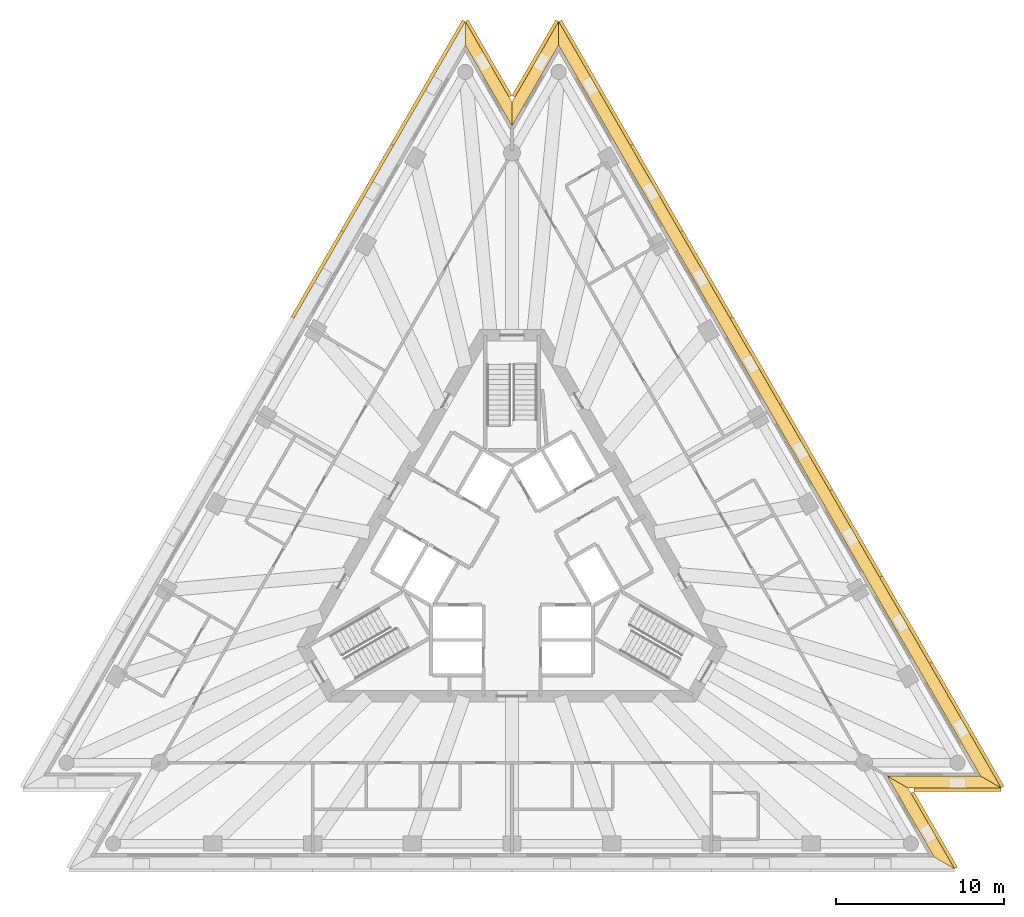
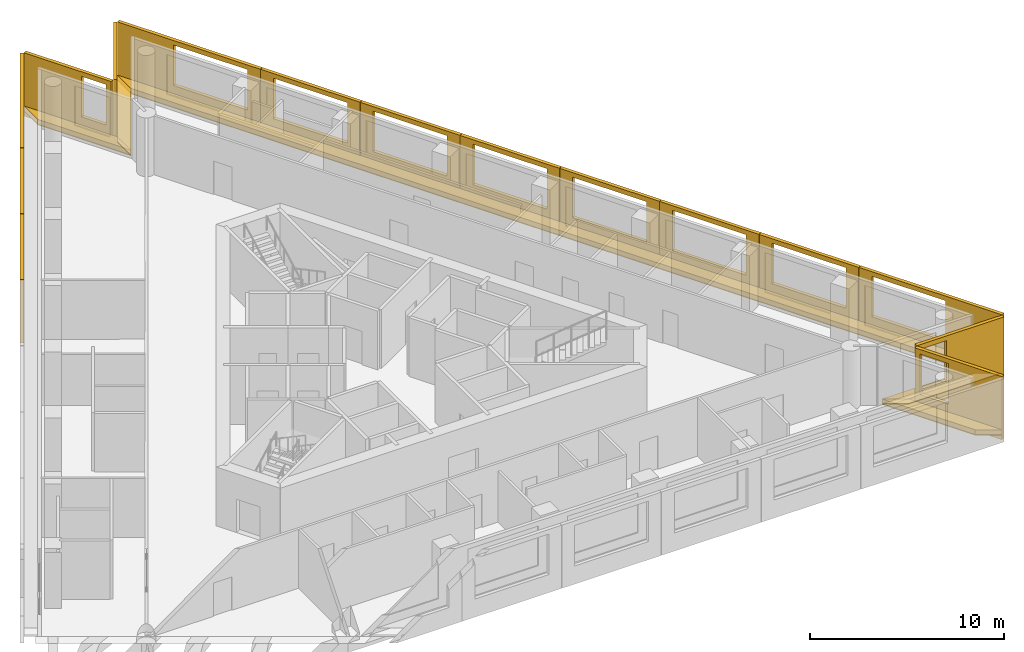
# One storey, part 9 of 9: 20 shading devices, 5 coverings.
"""IFC4 building model written with IfcOpenShell, lengths in metres."""

import ifcopenshell
import ifcopenshell.guid

model = None  # the IFC model being written
_history = None  # IfcOwnerHistory: only IFC2X3 demands one
_inside = {}  # id of a spatial element -> (the spatial element, [elements in it])
_under = {}  # id of a project, library or spatial element -> (it, [spatial elements below it])
_declared = {}  # id of a project -> (the project, [libraries it declares])
_typed = {}  # id of a type object -> (the type object, [elements of that type])
_made_of = {}  # id of a material, layer set ... -> (it, [elements and type objects made of it])


def new_model(schema):
    """Start an empty IFC model of exactly this schema.

    Asked for "IFC4X3", IfcOpenShell would pick the latest addendum, in which some entities
    have other attributes; the version numbers below select the first issue.
    IFC2X3 requires an IfcOwnerHistory on every rooted entity: one is made here for all.
    """
    global model, _history
    if schema == "IFC4X3":
        model = ifcopenshell.file(schema_version=(4, 3, 0, 0))
    else:
        model = ifcopenshell.file(schema=schema)
    _inside.clear()
    _under.clear()
    _declared.clear()
    _typed.clear()
    _made_of.clear()
    _history = None
    if model.schema == "IFC2X3":
        org = make("IfcOrganization", Name="unknown")
        user = make(
            "IfcPersonAndOrganization",
            ThePerson=make("IfcPerson", FamilyName="unknown"),
            TheOrganization=org,
        )
        app = make(
            "IfcApplication",
            ApplicationDeveloper=org,
            Version="unknown",
            ApplicationFullName="unknown",
            ApplicationIdentifier="unknown",
        )
        _history = make(
            "IfcOwnerHistory",
            OwningUser=user,
            OwningApplication=app,
            ChangeAction="ADDED",
            CreationDate=0,
        )
    return model


def make(cls, **values):
    """One entity of the class cls with the attributes given. An attribute that is None is left unset."""
    return model.create_entity(
        cls, **{name: value for name, value in values.items() if value is not None}
    )


def rooted(cls, **values):
    """An entity with a GlobalId (a new one), such as an element, a storey or a relation."""
    return make(cls, GlobalId=ifcopenshell.guid.new(), OwnerHistory=_history, **values)


def si_unit(unit_type, name, prefix=None):
    """IfcSIUnit, for example si_unit("LENGTHUNIT", "METRE", prefix="MILLI")."""
    return make("IfcSIUnit", UnitType=unit_type, Prefix=prefix, Name=name)


def assignment(units):
    """IfcUnitAssignment: the units of a project."""
    return None if units is None else make("IfcUnitAssignment", Units=units)


def point(xyz):
    """IfcCartesianPoint."""
    return None if xyz is None else make("IfcCartesianPoint", Coordinates=xyz)


def direction(xyz):
    """IfcDirection."""
    return None if xyz is None else make("IfcDirection", DirectionRatios=xyz)


def frame(location, z_axis=None, x_axis=None):
    """IfcAxis2Placement3D, a coordinate frame: its origin and axes. An axis left out is left unset."""
    return make(
        "IfcAxis2Placement3D",
        Location=point(location),
        Axis=direction(z_axis),
        RefDirection=direction(x_axis),
    )


def origin():
    """The frame at (0, 0, 0) with its axes left unset."""
    return frame((0.0, 0.0, 0.0))


def place(relative_to, where):
    """IfcLocalPlacement: puts the frame where relative to a parent placement (None: the world)."""
    return make(
        "IfcLocalPlacement", PlacementRelTo=relative_to, RelativePlacement=where
    )


def context(
    kind, dimensions, precision=None, world=None, true_north=None, identifier=None
):
    """IfcGeometricRepresentationContext, for example the 3D "Model" context."""
    return make(
        "IfcGeometricRepresentationContext",
        ContextIdentifier=identifier,
        ContextType=kind,
        CoordinateSpaceDimension=dimensions,
        Precision=precision,
        WorldCoordinateSystem=world,
        TrueNorth=true_north,
    )


def subcontext(parent, identifier, kind, view, scale=None):
    """IfcGeometricRepresentationSubContext, for example "Body" below "Model"."""
    return make(
        "IfcGeometricRepresentationSubContext",
        ContextIdentifier=identifier,
        ContextType=kind,
        ParentContext=parent,
        TargetScale=scale,
        TargetView=view,
    )


def project(units=None, contexts=None):
    """IfcProject with its units and contexts."""
    return rooted(
        "IfcProject",
        Name="project",
        RepresentationContexts=contexts,
        UnitsInContext=assignment(units),
    )


def spatial(cls, under=None, at=None, **own):
    """A site, building, storey or space (cls), placed at a placement, below another one or the project."""
    s = rooted(cls, ObjectPlacement=at, **own)
    if under is not None:
        _under.setdefault(under.id(), (under, []))[1].append(s)
    return s


def polyline(points):
    """IfcPolyline through the points."""
    return make("IfcPolyline", Points=[point(p) for p in points])


def outline(outer, holes=None, kind="AREA"):
    """IfcArbitraryClosedProfileDef: a profile drawn as a closed curve; with holes, ...WithVoids."""
    if holes is None:
        return make("IfcArbitraryClosedProfileDef", ProfileType=kind, OuterCurve=outer)
    return make(
        "IfcArbitraryProfileDefWithVoids",
        ProfileType=kind,
        OuterCurve=outer,
        InnerCurves=holes,
    )


def extrude(swept, where, along, depth):
    """IfcExtrudedAreaSolid: the profile swept, set in the frame where, extruded along a direction by depth."""
    return make(
        "IfcExtrudedAreaSolid",
        SweptArea=swept,
        Position=where,
        ExtrudedDirection=direction(along),
        Depth=depth,
    )


def shape(context_of_items, identifier, shape_type, items):
    """IfcShapeRepresentation: the items that make up one representation, for example the "Body"."""
    return make(
        "IfcShapeRepresentation",
        ContextOfItems=context_of_items,
        RepresentationIdentifier=identifier,
        RepresentationType=shape_type,
        Items=items,
    )


def material(Name=None, Category=None):
    """IfcMaterial."""
    return make("IfcMaterial", Name=Name, Category=Category)


def layer(
    of_material, thickness, ventilated=None, Name=None, Category=None, Priority=None
):
    """IfcMaterialLayer: one layer of a wall or slab, of a material (None: an air gap)."""
    return make(
        "IfcMaterialLayer",
        Material=of_material,
        LayerThickness=thickness,
        IsVentilated=ventilated,
        Name=Name,
        Category=Category,
        Priority=Priority,
    )


def layer_set(layers, Name=None):
    """IfcMaterialLayerSet."""
    return make("IfcMaterialLayerSet", MaterialLayers=layers, LayerSetName=Name)


def layer_usage(for_layer_set, set_direction, sense, offset, extent=None):
    """IfcMaterialLayerSetUsage: how a layer set lies in its element."""
    return make(
        "IfcMaterialLayerSetUsage",
        ForLayerSet=for_layer_set,
        LayerSetDirection=set_direction,
        DirectionSense=sense,
        OffsetFromReferenceLine=offset,
        ReferenceExtent=extent,
    )


def made_of(thing, what):
    """Note that an element or type object is made of a material, layer set ...; save() writes the relation."""
    if what is not None:
        _made_of.setdefault(what.id(), (what, []))[1].append(thing)
    return thing


def type_object(cls, material=None, **own):
    """A type object (cls), such as IfcWallType, which elements share."""
    return made_of(rooted(cls, **own), material)


def element(
    cls,
    number,
    at=None,
    inside=None,
    cuts=None,
    type_object=None,
    material=None,
    context=None,
    identifier="Body",
    shape_type=None,
    held_by="IfcProductDefinitionShape",
    body=None,
    shapes=None,
    **own,
):
    """One element of the class cls, such as IfcWall. Its Tag is "e" and its number.

    at: its placement. inside: the storey or other place that contains it. cuts: it is an
    opening in that element (IfcRelVoidsElement). A single representation is given by context,
    identifier, shape_type and body (its items); several are given by shapes. held_by: the class
    of the entity that holds the representations. save() writes the other relations.
    """
    e = rooted(cls, Tag="e%d" % number, ObjectPlacement=at, **own)
    if body is not None:
        shapes = [shape(context, identifier, shape_type, body)]
    if shapes is not None:
        e.Representation = make(held_by, Representations=shapes)
    if inside is not None:
        _inside.setdefault(inside.id(), (inside, []))[1].append(e)
    if cuts is not None:
        rooted(
            "IfcRelVoidsElement", RelatingBuildingElement=cuts, RelatedOpeningElement=e
        )
    if type_object is not None:
        _typed.setdefault(type_object.id(), (type_object, []))[1].append(e)
    return made_of(e, material)


def aggregate(whole, parts):
    """IfcRelAggregates: a whole, such as a stair, and the parts it consists of."""
    return rooted("IfcRelAggregates", RelatingObject=whole, RelatedObjects=parts)


def save(model, path):
    """Write the relations noted so far, then the file.

    IfcRelAggregates (storeys below a building ...), IfcRelContainedInSpatialStructure (elements
    in a storey), IfcRelDefinesByType, IfcRelAssociatesMaterial and IfcRelDeclares: one each for
    every whole, place, type object, material and project.
    """
    for whole, parts in _under.values():
        aggregate(whole, parts)
    for where, things in _inside.values():
        rooted(
            "IfcRelContainedInSpatialStructure",
            RelatedElements=things,
            RelatingStructure=where,
        )
    for kind, things in _typed.values():
        rooted("IfcRelDefinesByType", RelatedObjects=things, RelatingType=kind)
    for what, things in _made_of.values():
        rooted("IfcRelAssociatesMaterial", RelatedObjects=things, RelatingMaterial=what)
    for by, libraries in _declared.values():
        rooted("IfcRelDeclares", RelatingContext=by, RelatedDefinitions=libraries)
    model.write(path)


model = new_model("IFC4")

# Units and contexts
model_context = context("Model", 3, precision=1e-05, world=origin(), true_north=direction((0.0, 1.0)))
body_context = subcontext(model_context, "Body", "Model", "MODEL_VIEW")
ifc_project = project(units=[si_unit("LENGTHUNIT", "METRE"), si_unit("AREAUNIT", "SQUARE_METRE"), si_unit("VOLUMEUNIT", "CUBIC_METRE"), si_unit("PLANEANGLEUNIT", "RADIAN"), si_unit("MASSUNIT", "GRAM", prefix="KILO")], contexts=[model_context])

# Site, building, storey
site_placement = place(None, origin())
site = spatial("IfcSite", under=ifc_project, at=site_placement, CompositionType="ELEMENT")
building_placement = place(site_placement, origin())
building = spatial("IfcBuilding", under=site, at=building_placement, Name="Triada Interchange Tower", CompositionType="ELEMENT")
storey_placement = place(building_placement, frame((0.0, 0.0, 227.300048828125)))
storey = spatial("IfcBuildingStorey", under=building, at=storey_placement, Name="L53", CompositionType="ELEMENT", Elevation=227.300048828125)

# Coverings
ifc_material_1 = material(Name="Mineral fire-stop board")
ifc_layer_1 = layer(ifc_material_1, 0.0400390625, Name="Mineral fire-stop board")
ifc_material_2 = material(Name="Intumescent sealant")
ifc_layer_2 = layer(ifc_material_2, 0.010009765625, Name="Intumescent seal")
ifc_layer_set_1 = layer_set([ifc_layer_1, ifc_layer_2], Name="Cavity fire stop")
ifc_layer_usage = layer_usage(ifc_layer_set_1, "AXIS3", "POSITIVE", 0.0)
covering_type = type_object("IfcCoveringType", Name="Cavity fire stop", PredefinedType="INSULATION", material=ifc_layer_set_1)
covering_1_placement = place(storey_placement, origin())
element("IfcCovering", 1, at=covering_1_placement, inside=storey, type_object=covering_type, material=ifc_layer_usage, Name="Cavity fire stop L53 SE-1", PredefinedType="INSULATION", context=body_context, shape_type="SweptSolid", body=[
    extrude(outline(polyline([(25.132080078125, -17.717041015625), (26.343994140625, -18.4169921875), (23.56689453125, -13.60595703125), (22.35498046875, -12.906005859375), (25.132080078125, -17.717041015625)])), origin(), (0.0, 0.0, 1.0), 0.050048828125),
])
covering_2_placement = place(storey_placement, origin())
element("IfcCovering", 2, at=covering_2_placement, inside=storey, type_object=covering_type, material=ifc_layer_usage, Name="Cavity fire stop L53 SE-2", PredefinedType="INSULATION", context=body_context, shape_type="SweptSolid", body=[
    extrude(outline(polyline([(22.35498046875, -12.906005859375), (23.56689453125, -13.60595703125), (29.1220703125, -13.60595703125), (27.909912109375, -12.906005859375), (22.35498046875, -12.906005859375)])), origin(), (0.0, 0.0, 1.0), 0.050048828125),
])
covering_3_placement = place(storey_placement, origin())
element("IfcCovering", 3, at=covering_3_placement, inside=storey, type_object=covering_type, material=ifc_layer_usage, Name="Cavity fire stop L53 NE", PredefinedType="INSULATION", context=body_context, shape_type="SweptSolid", body=[
    extrude(outline(polyline([(27.909912109375, -12.906005859375), (29.1220703125, -13.60595703125), (2.777099609375, 32.02294921875), (2.777099609375, 30.623046875), (27.909912109375, -12.906005859375)])), origin(), (0.0, 0.0, 1.0), 0.050048828125),
])
covering_4_placement = place(storey_placement, origin())
element("IfcCovering", 4, at=covering_4_placement, inside=storey, type_object=covering_type, material=ifc_layer_usage, Name="Cavity fire stop L53 N-1", PredefinedType="INSULATION", context=body_context, shape_type="SweptSolid", body=[
    extrude(outline(polyline([(2.777099609375, 30.623046875), (2.777099609375, 32.02294921875), (0.0, 27.212890625), (0.0, 25.81298828125), (2.777099609375, 30.623046875)])), origin(), (0.0, 0.0, 1.0), 0.050048828125),
])
covering_5_placement = place(storey_placement, origin())
element("IfcCovering", 5, at=covering_5_placement, inside=storey, type_object=covering_type, material=ifc_layer_usage, Name="Cavity fire stop L53 N-2", PredefinedType="INSULATION", context=body_context, shape_type="SweptSolid", body=[
    extrude(outline(polyline([(0.0, 25.81298828125), (0.0, 27.212890625), (-2.777099609375, 32.02294921875), (-2.777099609375, 30.623046875), (0.0, 25.81298828125)])), origin(), (0.0, 0.0, 1.0), 0.050048828125),
])

# Shading devices
ifc_material_3 = material(Name="Aluminium louvre", Category="aluminium")
shading_device_type_1 = type_object("IfcShadingDeviceType", Name="Cavity louvre grille", PredefinedType="JALOUSIE", material=ifc_material_3)
shading_device_1_placement = place(storey_placement, frame((0.0, 0.0, 0.050048828125)))
element("IfcShadingDevice", 6, at=shading_device_1_placement, inside=storey, type_object=shading_device_type_1, Name="Cavity louvre grille L53 SE-1", PredefinedType="JALOUSIE", context=body_context, shape_type="SweptSolid", body=[
    extrude(outline(polyline([(25.132080078125, -17.717041015625), (26.343994140625, -18.4169921875), (23.56689453125, -13.60595703125), (22.35498046875, -12.906005859375), (25.132080078125, -17.717041015625)])), origin(), (0.0, 0.0, 1.0), 0.2998046875),
])
shading_device_2_placement = place(storey_placement, frame((0.0, 0.0, 0.050048828125)))
element("IfcShadingDevice", 7, at=shading_device_2_placement, inside=storey, type_object=shading_device_type_1, Name="Cavity louvre grille L53 SE-2", PredefinedType="JALOUSIE", context=body_context, shape_type="SweptSolid", body=[
    extrude(outline(polyline([(22.35498046875, -12.906005859375), (23.56689453125, -13.60595703125), (29.1220703125, -13.60595703125), (27.909912109375, -12.906005859375), (22.35498046875, -12.906005859375)])), origin(), (0.0, 0.0, 1.0), 0.2998046875),
])
shading_device_3_placement = place(storey_placement, frame((0.0, 0.0, 0.050048828125)))
element("IfcShadingDevice", 8, at=shading_device_3_placement, inside=storey, type_object=shading_device_type_1, Name="Cavity louvre grille L53 NE", PredefinedType="JALOUSIE", context=body_context, shape_type="SweptSolid", body=[
    extrude(outline(polyline([(27.909912109375, -12.906005859375), (29.1220703125, -13.60595703125), (2.777099609375, 32.02294921875), (2.777099609375, 30.623046875), (27.909912109375, -12.906005859375)])), origin(), (0.0, 0.0, 1.0), 0.2998046875),
])
shading_device_4_placement = place(storey_placement, frame((0.0, 0.0, 0.050048828125)))
element("IfcShadingDevice", 9, at=shading_device_4_placement, inside=storey, type_object=shading_device_type_1, Name="Cavity louvre grille L53 N-1", PredefinedType="JALOUSIE", context=body_context, shape_type="SweptSolid", body=[
    extrude(outline(polyline([(2.777099609375, 30.623046875), (2.777099609375, 32.02294921875), (0.0, 27.212890625), (0.0, 25.81298828125), (2.777099609375, 30.623046875)])), origin(), (0.0, 0.0, 1.0), 0.2998046875),
])
shading_device_5_placement = place(storey_placement, frame((0.0, 0.0, 0.050048828125)))
element("IfcShadingDevice", 10, at=shading_device_5_placement, inside=storey, type_object=shading_device_type_1, Name="Cavity louvre grille L53 N-2", PredefinedType="JALOUSIE", context=body_context, shape_type="SweptSolid", body=[
    extrude(outline(polyline([(0.0, 25.81298828125), (0.0, 27.212890625), (-2.777099609375, 32.02294921875), (-2.777099609375, 30.623046875), (0.0, 25.81298828125)])), origin(), (0.0, 0.0, 1.0), 0.2998046875),
])
ifc_material_4 = material(Name="Concrete C50/60 precast", Category="concrete")
ifc_layer_3 = layer(ifc_material_4, 0.02001953125, Name="Exposed aggregate face")
ifc_layer_4 = layer(ifc_material_4, 0.179931640625, Name="Precast concrete screen")
ifc_layer_set_2 = layer_set([ifc_layer_3, ifc_layer_4], Name="Outer skin screen panel 3980")
shading_device_type_2 = type_object("IfcShadingDeviceType", Name="Outer skin screen panel 3980", PredefinedType="SHUTTER", material=ifc_layer_set_2)
shading_device_6_placement = place(storey_placement, frame((-2.781982421875, 32.013916015625, -0.2900390625), z_axis=(0.0, 0.0, 1.0), x_axis=(-0.500034394802, -0.866005545026, 0.0)))
element("IfcShadingDevice", 11, at=shading_device_6_placement, inside=storey, type_object=shading_device_type_2, Name="Outer skin screen panel L53 01", PredefinedType="SHUTTER", context=body_context, shape_type="SweptSolid", body=[
    extrude(outline(polyline([(0.0, 0.0), (8.513671875, 0.0), (8.513671875, 3.97998046875), (0.0, 3.97998046875), (0.0, 0.0)]), holes=[polyline([(3.356689453125, 1.139892578125), (3.356689453125, 3.68994140625), (7.756591796875, 3.68994140625), (7.756591796875, 1.139892578125), (3.356689453125, 1.139892578125)])]), frame((0.0, 0.0, 0.0), z_axis=(0.0, -1.0, 0.0), x_axis=(1.0, 0.0, 0.0)), (0.0, 0.0, 1.0), 0.199951171875),
])
shading_device_7_placement = place(storey_placement, frame((-7.049072265625, 24.623046875, -0.2900390625), z_axis=(0.0, 0.0, 1.0), x_axis=(-0.500079606793, -0.865979437902, 0.0)))
element("IfcShadingDevice", 12, at=shading_device_7_placement, inside=storey, type_object=shading_device_type_2, Name="Outer skin screen panel L53 02", PredefinedType="SHUTTER", context=body_context, shape_type="SweptSolid", body=[
    extrude(outline(polyline([(0.0, 0.0), (5.9169921875, 0.0), (5.9169921875, 3.97998046875), (0.0, 3.97998046875), (0.0, 0.0)]), holes=[polyline([(0.758056640625, 1.139892578125), (0.758056640625, 3.68994140625), (5.157958984375, 3.68994140625), (5.157958984375, 1.139892578125), (0.758056640625, 1.139892578125)])]), frame((0.0, 0.0, 0.0), z_axis=(0.0, -1.0, 0.0), x_axis=(1.0, 0.0, 0.0)), (0.0, 0.0, 1.0), 0.199951171875),
])
shading_device_8_placement = place(storey_placement, frame((-10.01806640625, 19.48193359375, -0.2900390625), z_axis=(0.0, 0.0, 1.0), x_axis=(-0.499955822529, -0.866050908157, 0.0)))
element("IfcShadingDevice", 13, at=shading_device_8_placement, inside=storey, type_object=shading_device_type_2, Name="Outer skin screen panel L53 03", PredefinedType="SHUTTER", context=body_context, shape_type="SweptSolid", body=[
    extrude(outline(polyline([(0.0, 0.0), (5.91650390625, 0.0), (5.91650390625, 3.97998046875), (0.0, 3.97998046875), (0.0, 0.0)]), holes=[polyline([(0.758544921875, 1.139892578125), (0.758544921875, 3.68994140625), (5.158447265625, 3.68994140625), (5.158447265625, 1.139892578125), (0.758544921875, 1.139892578125)])]), frame((0.0, 0.0, 0.0), z_axis=(0.0, -1.0, 0.0), x_axis=(1.0, 0.0, 0.0)), (0.0, 0.0, 1.0), 0.199951171875),
])
shading_device_9_placement = place(storey_placement, frame((26.339111328125, -18.407958984375, -0.2900390625), z_axis=(0.0, 0.0, 1.0), x_axis=(-0.499919314206, 0.866071982738, 0.0)))
element("IfcShadingDevice", 14, at=shading_device_9_placement, inside=storey, type_object=shading_device_type_2, Name="Outer skin screen panel L53 19", PredefinedType="SHUTTER", context=body_context, shape_type="SweptSolid", body=[
    extrude(outline(polyline([(0.0, 0.0), (5.188720703125, 0.0), (5.188720703125, 3.97998046875), (0.0, 3.97998046875), (0.0, 0.0)]), holes=[polyline([(3.17529296875, 1.139892578125), (3.17529296875, 3.68994140625), (4.888916015625, 3.68994140625), (4.888916015625, 1.139892578125), (3.17529296875, 1.139892578125)])]), frame((0.0, 0.0, 0.0), z_axis=(0.0, -1.0, 0.0), x_axis=(1.0, 0.0, 0.0)), (0.0, 0.0, 1.0), 0.199951171875),
])
shading_device_10_placement = place(storey_placement, frame((23.923095703125, -13.60595703125, -0.2900390625), z_axis=(0.0, 0.0, 1.0), x_axis=(1.0, 0.0, 0.0)))
element("IfcShadingDevice", 15, at=shading_device_10_placement, inside=storey, type_object=shading_device_type_2, Name="Outer skin screen panel L53 20", PredefinedType="SHUTTER", context=body_context, shape_type="SweptSolid", body=[
    extrude(outline(polyline([(0.0, 0.0), (5.18896484375, 0.0), (5.18896484375, 3.97998046875), (0.0, 3.97998046875), (0.0, 0.0)]), holes=[polyline([(0.300048828125, 1.139892578125), (0.300048828125, 3.68994140625), (1.759033203125, 3.68994140625), (1.759033203125, 1.139892578125), (0.300048828125, 1.139892578125)])]), frame((0.0, 0.0, 0.0), z_axis=(0.0, -1.0, 0.0), x_axis=(1.0, 0.0, 0.0)), (0.0, 0.0, 1.0), 0.199951171875),
])
shading_device_11_placement = place(storey_placement, frame((29.116943359375, -13.596923828125, -0.2900390625), z_axis=(0.0, 0.0, 1.0), x_axis=(-0.499950805595, 0.866053804324, 0.0)))
element("IfcShadingDevice", 16, at=shading_device_11_placement, inside=storey, type_object=shading_device_type_2, Name="Outer skin screen panel L53 21", PredefinedType="SHUTTER", context=body_context, shape_type="SweptSolid", body=[
    extrude(outline(polyline([(0.0, 0.0), (8.514404296875, 0.0), (8.514404296875, 3.97998046875), (0.0, 3.97998046875), (0.0, 0.0)]), holes=[polyline([(3.356201171875, 1.139892578125), (3.356201171875, 3.68994140625), (7.75634765625, 3.68994140625), (7.75634765625, 1.139892578125), (3.356201171875, 1.139892578125)])]), frame((0.0, 0.0, 0.0), z_axis=(0.0, -1.0, 0.0), x_axis=(1.0, 0.0, 0.0)), (0.0, 0.0, 1.0), 0.199951171875),
])
shading_device_12_placement = place(storey_placement, frame((24.85009765625, -6.2060546875, -0.2900390625), z_axis=(0.0, 0.0, 1.0), x_axis=(-0.500079606793, 0.865979437902, 0.0)))
element("IfcShadingDevice", 17, at=shading_device_12_placement, inside=storey, type_object=shading_device_type_2, Name="Outer skin screen panel L53 22", PredefinedType="SHUTTER", context=body_context, shape_type="SweptSolid", body=[
    extrude(outline(polyline([(0.0, 0.0), (5.9169921875, 0.0), (5.9169921875, 3.97998046875), (0.0, 3.97998046875), (0.0, 0.0)]), holes=[polyline([(0.7587890625, 1.139892578125), (0.7587890625, 3.68994140625), (5.15869140625, 3.68994140625), (5.15869140625, 1.139892578125), (0.7587890625, 1.139892578125)])]), frame((0.0, 0.0, 0.0), z_axis=(0.0, -1.0, 0.0), x_axis=(1.0, 0.0, 0.0)), (0.0, 0.0, 1.0), 0.199951171875),
])
shading_device_13_placement = place(storey_placement, frame((21.881103515625, -1.06494140625, -0.2900390625), z_axis=(0.0, 0.0, 1.0), x_axis=(-0.499955822529, 0.866050908157, 0.0)))
element("IfcShadingDevice", 18, at=shading_device_13_placement, inside=storey, type_object=shading_device_type_2, Name="Outer skin screen panel L53 23", PredefinedType="SHUTTER", context=body_context, shape_type="SweptSolid", body=[
    extrude(outline(polyline([(0.0, 0.0), (5.91650390625, 0.0), (5.91650390625, 3.97998046875), (0.0, 3.97998046875), (0.0, 0.0)]), holes=[polyline([(0.75830078125, 1.139892578125), (0.75830078125, 3.68994140625), (5.158203125, 3.68994140625), (5.158203125, 1.139892578125), (0.75830078125, 1.139892578125)])]), frame((0.0, 0.0, 0.0), z_axis=(0.0, -1.0, 0.0), x_axis=(1.0, 0.0, 0.0)), (0.0, 0.0, 1.0), 0.199951171875),
])
shading_device_14_placement = place(storey_placement, frame((18.9130859375, 4.075927734375, -0.2900390625), z_axis=(0.0, 0.0, 1.0), x_axis=(-0.499955822529, 0.866050908157, 0.0)))
element("IfcShadingDevice", 19, at=shading_device_14_placement, inside=storey, type_object=shading_device_type_2, Name="Outer skin screen panel L53 24", PredefinedType="SHUTTER", context=body_context, shape_type="SweptSolid", body=[
    extrude(outline(polyline([(0.0, 0.0), (5.91650390625, 0.0), (5.91650390625, 3.97998046875), (0.0, 3.97998046875), (0.0, 0.0)]), holes=[polyline([(0.758544921875, 1.139892578125), (0.758544921875, 3.68994140625), (5.15869140625, 3.68994140625), (5.15869140625, 1.139892578125), (0.758544921875, 1.139892578125)])]), frame((0.0, 0.0, 0.0), z_axis=(0.0, -1.0, 0.0), x_axis=(1.0, 0.0, 0.0)), (0.0, 0.0, 1.0), 0.199951171875),
])
shading_device_15_placement = place(storey_placement, frame((15.945068359375, 9.217041015625, -0.2900390625), z_axis=(0.0, 0.0, 1.0), x_axis=(-0.500079606793, 0.865979437902, 0.0)))
element("IfcShadingDevice", 20, at=shading_device_15_placement, inside=storey, type_object=shading_device_type_2, Name="Outer skin screen panel L53 25", PredefinedType="SHUTTER", context=body_context, shape_type="SweptSolid", body=[
    extrude(outline(polyline([(0.0, 0.0), (5.9169921875, 0.0), (5.9169921875, 3.97998046875), (0.0, 3.97998046875), (0.0, 0.0)]), holes=[polyline([(0.758056640625, 1.139892578125), (0.758056640625, 3.68994140625), (5.158203125, 3.68994140625), (5.158203125, 1.139892578125), (0.758056640625, 1.139892578125)])]), frame((0.0, 0.0, 0.0), z_axis=(0.0, -1.0, 0.0), x_axis=(1.0, 0.0, 0.0)), (0.0, 0.0, 1.0), 0.199951171875),
])
shading_device_16_placement = place(storey_placement, frame((12.97607421875, 14.35791015625, -0.2900390625), z_axis=(0.0, 0.0, 1.0), x_axis=(-0.499955822529, 0.866050908157, 0.0)))
element("IfcShadingDevice", 21, at=shading_device_16_placement, inside=storey, type_object=shading_device_type_2, Name="Outer skin screen panel L53 26", PredefinedType="SHUTTER", context=body_context, shape_type="SweptSolid", body=[
    extrude(outline(polyline([(0.0, 0.0), (5.91650390625, 0.0), (5.91650390625, 3.97998046875), (0.0, 3.97998046875), (0.0, 0.0)]), holes=[polyline([(0.758544921875, 1.139892578125), (0.758544921875, 3.68994140625), (5.15869140625, 3.68994140625), (5.15869140625, 1.139892578125), (0.758544921875, 1.139892578125)])]), frame((0.0, 0.0, 0.0), z_axis=(0.0, -1.0, 0.0), x_axis=(1.0, 0.0, 0.0)), (0.0, 0.0, 1.0), 0.199951171875),
])
shading_device_17_placement = place(storey_placement, frame((10.008056640625, 19.4990234375, -0.2900390625), z_axis=(0.0, 0.0, 1.0), x_axis=(-0.500079606793, 0.865979437902, 0.0)))
element("IfcShadingDevice", 22, at=shading_device_17_placement, inside=storey, type_object=shading_device_type_2, Name="Outer skin screen panel L53 27", PredefinedType="SHUTTER", context=body_context, shape_type="SweptSolid", body=[
    extrude(outline(polyline([(0.0, 0.0), (5.9169921875, 0.0), (5.9169921875, 3.97998046875), (0.0, 3.97998046875), (0.0, 0.0)]), holes=[polyline([(0.758056640625, 1.139892578125), (0.758056640625, 3.68994140625), (5.157958984375, 3.68994140625), (5.157958984375, 1.139892578125), (0.758056640625, 1.139892578125)])]), frame((0.0, 0.0, 0.0), z_axis=(0.0, -1.0, 0.0), x_axis=(1.0, 0.0, 0.0)), (0.0, 0.0, 1.0), 0.199951171875),
])
shading_device_18_placement = place(storey_placement, frame((7.0390625, 24.64111328125, -0.2900390625), z_axis=(0.0, 0.0, 1.0), x_axis=(-0.500034394802, 0.866005545026, 0.0)))
element("IfcShadingDevice", 23, at=shading_device_18_placement, inside=storey, type_object=shading_device_type_2, Name="Outer skin screen panel L53 28", PredefinedType="SHUTTER", context=body_context, shape_type="SweptSolid", body=[
    extrude(outline(polyline([(0.0, 0.0), (8.513671875, 0.0), (8.513671875, 3.97998046875), (0.0, 3.97998046875), (0.0, 0.0)]), holes=[polyline([(0.758544921875, 1.139892578125), (0.758544921875, 3.68994140625), (5.158447265625, 3.68994140625), (5.158447265625, 1.139892578125), (0.758544921875, 1.139892578125)])]), frame((0.0, 0.0, 0.0), z_axis=(0.0, -1.0, 0.0), x_axis=(1.0, 0.0, 0.0)), (0.0, 0.0, 1.0), 0.199951171875),
])
shading_device_19_placement = place(storey_placement, frame((2.77197265625, 32.013916015625, -0.2900390625), z_axis=(0.0, 0.0, 1.0), x_axis=(-0.500082331196, -0.865977864628, 0.0)))
element("IfcShadingDevice", 24, at=shading_device_19_placement, inside=storey, type_object=shading_device_type_2, Name="Outer skin screen panel L53 29", PredefinedType="SHUTTER", context=body_context, shape_type="SweptSolid", body=[
    extrude(outline(polyline([(0.0, 0.0), (5.187255859375, 0.0), (5.187255859375, 3.97998046875), (0.0, 3.97998046875), (0.0, 0.0)]), holes=[polyline([(3.175537109375, 1.139892578125), (3.175537109375, 3.68994140625), (4.8876953125, 3.68994140625), (4.8876953125, 1.139892578125), (3.175537109375, 1.139892578125)])]), frame((0.0, 0.0, 0.0), z_axis=(0.0, -1.0, 0.0), x_axis=(1.0, 0.0, 0.0)), (0.0, 0.0, 1.0), 0.199951171875),
])
shading_device_20_placement = place(storey_placement, frame((-0.177978515625, 27.52197265625, -0.2900390625), z_axis=(0.0, 0.0, 1.0), x_axis=(-0.500082331196, 0.865977864628, 0.0)))
element("IfcShadingDevice", 25, at=shading_device_20_placement, inside=storey, type_object=shading_device_type_2, Name="Outer skin screen panel L53 30", PredefinedType="SHUTTER", context=body_context, shape_type="SweptSolid", body=[
    extrude(outline(polyline([(0.0, 0.0), (5.187255859375, 0.0), (5.187255859375, 3.97998046875), (0.0, 3.97998046875), (0.0, 0.0)]), holes=[polyline([(0.300048828125, 1.139892578125), (0.300048828125, 3.68994140625), (1.7578125, 3.68994140625), (1.7578125, 1.139892578125), (0.300048828125, 1.139892578125)])]), frame((0.0, 0.0, 0.0), z_axis=(0.0, -1.0, 0.0), x_axis=(1.0, 0.0, 0.0)), (0.0, 0.0, 1.0), 0.199951171875),
])

save(model, "model.ifc")
